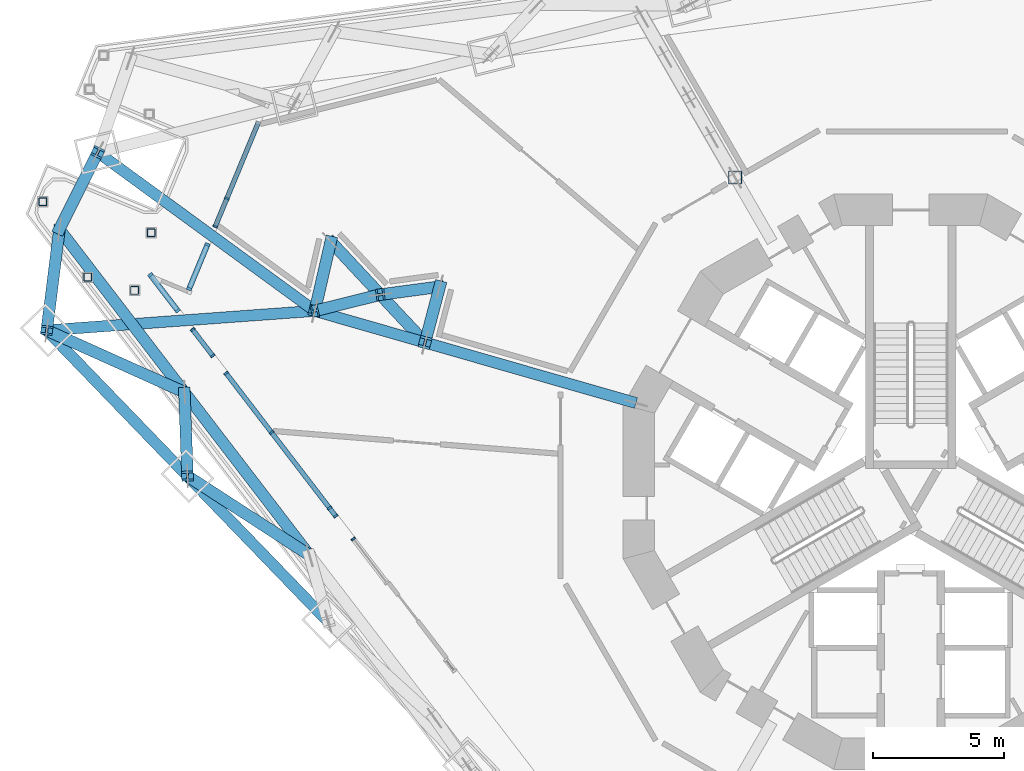
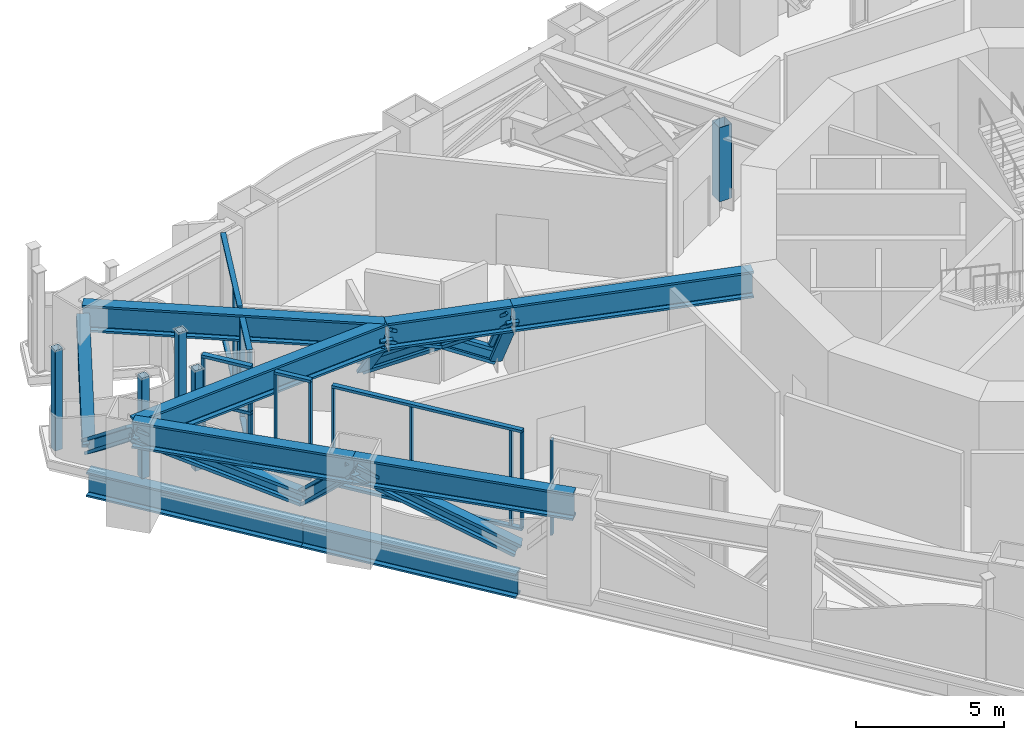
# One storey, part 5 of 31: 48 members, 4 beams, 6 elements without a shape of their own.
"""IFC4 building model written with IfcOpenShell, lengths in metres."""

import ifcopenshell
import ifcopenshell.guid

model = None  # the IFC model being written
_history = None  # IfcOwnerHistory: only IFC2X3 demands one
_inside = {}  # id of a spatial element -> (the spatial element, [elements in it])
_under = {}  # id of a project, library or spatial element -> (it, [spatial elements below it])
_declared = {}  # id of a project -> (the project, [libraries it declares])
_typed = {}  # id of a type object -> (the type object, [elements of that type])
_made_of = {}  # id of a material, layer set ... -> (it, [elements and type objects made of it])


def new_model(schema):
    """Start an empty IFC model of exactly this schema.

    Asked for "IFC4X3", IfcOpenShell would pick the latest addendum, in which some entities
    have other attributes; the version numbers below select the first issue.
    IFC2X3 requires an IfcOwnerHistory on every rooted entity: one is made here for all.
    """
    global model, _history
    if schema == "IFC4X3":
        model = ifcopenshell.file(schema_version=(4, 3, 0, 0))
    else:
        model = ifcopenshell.file(schema=schema)
    _inside.clear()
    _under.clear()
    _declared.clear()
    _typed.clear()
    _made_of.clear()
    _history = None
    if model.schema == "IFC2X3":
        org = make("IfcOrganization", Name="unknown")
        user = make(
            "IfcPersonAndOrganization",
            ThePerson=make("IfcPerson", FamilyName="unknown"),
            TheOrganization=org,
        )
        app = make(
            "IfcApplication",
            ApplicationDeveloper=org,
            Version="unknown",
            ApplicationFullName="unknown",
            ApplicationIdentifier="unknown",
        )
        _history = make(
            "IfcOwnerHistory",
            OwningUser=user,
            OwningApplication=app,
            ChangeAction="ADDED",
            CreationDate=0,
        )
    return model


def make(cls, **values):
    """One entity of the class cls with the attributes given. An attribute that is None is left unset."""
    return model.create_entity(
        cls, **{name: value for name, value in values.items() if value is not None}
    )


def rooted(cls, **values):
    """An entity with a GlobalId (a new one), such as an element, a storey or a relation."""
    return make(cls, GlobalId=ifcopenshell.guid.new(), OwnerHistory=_history, **values)


def si_unit(unit_type, name, prefix=None):
    """IfcSIUnit, for example si_unit("LENGTHUNIT", "METRE", prefix="MILLI")."""
    return make("IfcSIUnit", UnitType=unit_type, Prefix=prefix, Name=name)


def assignment(units):
    """IfcUnitAssignment: the units of a project."""
    return None if units is None else make("IfcUnitAssignment", Units=units)


def point(xyz):
    """IfcCartesianPoint."""
    return None if xyz is None else make("IfcCartesianPoint", Coordinates=xyz)


def direction(xyz):
    """IfcDirection."""
    return None if xyz is None else make("IfcDirection", DirectionRatios=xyz)


def frame(location, z_axis=None, x_axis=None):
    """IfcAxis2Placement3D, a coordinate frame: its origin and axes. An axis left out is left unset."""
    return make(
        "IfcAxis2Placement3D",
        Location=point(location),
        Axis=direction(z_axis),
        RefDirection=direction(x_axis),
    )


def frame_2d(location, x_axis=None):
    """IfcAxis2Placement2D, a coordinate frame in the plane: its origin and x axis."""
    return make(
        "IfcAxis2Placement2D", Location=point(location), RefDirection=direction(x_axis)
    )


def origin():
    """The frame at (0, 0, 0) with its axes left unset."""
    return frame((0.0, 0.0, 0.0))


def origin_2d():
    """The frame at (0, 0) in the plane with its x axis left unset."""
    return frame_2d((0.0, 0.0))


def place(relative_to, where):
    """IfcLocalPlacement: puts the frame where relative to a parent placement (None: the world)."""
    return make(
        "IfcLocalPlacement", PlacementRelTo=relative_to, RelativePlacement=where
    )


def context(
    kind, dimensions, precision=None, world=None, true_north=None, identifier=None
):
    """IfcGeometricRepresentationContext, for example the 3D "Model" context."""
    return make(
        "IfcGeometricRepresentationContext",
        ContextIdentifier=identifier,
        ContextType=kind,
        CoordinateSpaceDimension=dimensions,
        Precision=precision,
        WorldCoordinateSystem=world,
        TrueNorth=true_north,
    )


def subcontext(parent, identifier, kind, view, scale=None):
    """IfcGeometricRepresentationSubContext, for example "Body" below "Model"."""
    return make(
        "IfcGeometricRepresentationSubContext",
        ContextIdentifier=identifier,
        ContextType=kind,
        ParentContext=parent,
        TargetScale=scale,
        TargetView=view,
    )


def project(units=None, contexts=None):
    """IfcProject with its units and contexts."""
    return rooted(
        "IfcProject",
        Name="project",
        RepresentationContexts=contexts,
        UnitsInContext=assignment(units),
    )


def spatial(cls, under=None, at=None, **own):
    """A site, building, storey or space (cls), placed at a placement, below another one or the project."""
    s = rooted(cls, ObjectPlacement=at, **own)
    if under is not None:
        _under.setdefault(under.id(), (under, []))[1].append(s)
    return s


def profile(cls, at=None, kind="AREA", **sizes):
    """A parametric profile (cls). Its sizes go by their IFC names, for example OverallWidth=200.0."""
    return make(cls, ProfileType=kind, Position=at, **sizes)


def rectangle(**sizes):
    """IfcRectangleProfileDef."""
    return profile("IfcRectangleProfileDef", **sizes)


def hollow_rectangle(**sizes):
    """IfcRectangleHollowProfileDef."""
    return profile("IfcRectangleHollowProfileDef", **sizes)


def i_section(**sizes):
    """IfcIShapeProfileDef."""
    return profile("IfcIShapeProfileDef", **sizes)


def extrude(swept, where, along, depth):
    """IfcExtrudedAreaSolid: the profile swept, set in the frame where, extruded along a direction by depth."""
    return make(
        "IfcExtrudedAreaSolid",
        SweptArea=swept,
        Position=where,
        ExtrudedDirection=direction(along),
        Depth=depth,
    )


def shape(context_of_items, identifier, shape_type, items):
    """IfcShapeRepresentation: the items that make up one representation, for example the "Body"."""
    return make(
        "IfcShapeRepresentation",
        ContextOfItems=context_of_items,
        RepresentationIdentifier=identifier,
        RepresentationType=shape_type,
        Items=items,
    )


def material(Name=None, Category=None):
    """IfcMaterial."""
    return make("IfcMaterial", Name=Name, Category=Category)


def layer(
    of_material, thickness, ventilated=None, Name=None, Category=None, Priority=None
):
    """IfcMaterialLayer: one layer of a wall or slab, of a material (None: an air gap)."""
    return make(
        "IfcMaterialLayer",
        Material=of_material,
        LayerThickness=thickness,
        IsVentilated=ventilated,
        Name=Name,
        Category=Category,
        Priority=Priority,
    )


def layer_set(layers, Name=None):
    """IfcMaterialLayerSet."""
    return make("IfcMaterialLayerSet", MaterialLayers=layers, LayerSetName=Name)


def material_profile(
    of_material, cross_section, Name=None, Category=None, Priority=None
):
    """IfcMaterialProfile: a cross section and its material."""
    return make(
        "IfcMaterialProfile",
        Name=Name,
        Material=of_material,
        Profile=cross_section,
        Priority=Priority,
        Category=Category,
    )


def profile_set(profiles, Name=None, composite=None):
    """IfcMaterialProfileSet."""
    return make(
        "IfcMaterialProfileSet",
        Name=Name,
        MaterialProfiles=profiles,
        CompositeProfile=composite,
    )


def made_of(thing, what):
    """Note that an element or type object is made of a material, layer set ...; save() writes the relation."""
    if what is not None:
        _made_of.setdefault(what.id(), (what, []))[1].append(thing)
    return thing


def type_object(cls, material=None, **own):
    """A type object (cls), such as IfcWallType, which elements share."""
    return made_of(rooted(cls, **own), material)


def element(
    cls,
    number,
    at=None,
    inside=None,
    cuts=None,
    type_object=None,
    material=None,
    context=None,
    identifier="Body",
    shape_type=None,
    held_by="IfcProductDefinitionShape",
    body=None,
    shapes=None,
    **own,
):
    """One element of the class cls, such as IfcWall. Its Tag is "e" and its number.

    at: its placement. inside: the storey or other place that contains it. cuts: it is an
    opening in that element (IfcRelVoidsElement). A single representation is given by context,
    identifier, shape_type and body (its items); several are given by shapes. held_by: the class
    of the entity that holds the representations. save() writes the other relations.
    """
    e = rooted(cls, Tag="e%d" % number, ObjectPlacement=at, **own)
    if body is not None:
        shapes = [shape(context, identifier, shape_type, body)]
    if shapes is not None:
        e.Representation = make(held_by, Representations=shapes)
    if inside is not None:
        _inside.setdefault(inside.id(), (inside, []))[1].append(e)
    if cuts is not None:
        rooted(
            "IfcRelVoidsElement", RelatingBuildingElement=cuts, RelatedOpeningElement=e
        )
    if type_object is not None:
        _typed.setdefault(type_object.id(), (type_object, []))[1].append(e)
    return made_of(e, material)


def aggregate(whole, parts):
    """IfcRelAggregates: a whole, such as a stair, and the parts it consists of."""
    return rooted("IfcRelAggregates", RelatingObject=whole, RelatedObjects=parts)


def save(model, path):
    """Write the relations noted so far, then the file.

    IfcRelAggregates (storeys below a building ...), IfcRelContainedInSpatialStructure (elements
    in a storey), IfcRelDefinesByType, IfcRelAssociatesMaterial and IfcRelDeclares: one each for
    every whole, place, type object, material and project.
    """
    for whole, parts in _under.values():
        aggregate(whole, parts)
    for where, things in _inside.values():
        rooted(
            "IfcRelContainedInSpatialStructure",
            RelatedElements=things,
            RelatingStructure=where,
        )
    for kind, things in _typed.values():
        rooted("IfcRelDefinesByType", RelatedObjects=things, RelatingType=kind)
    for what, things in _made_of.values():
        rooted("IfcRelAssociatesMaterial", RelatedObjects=things, RelatingMaterial=what)
    for by, libraries in _declared.values():
        rooted("IfcRelDeclares", RelatingContext=by, RelatedDefinitions=libraries)
    model.write(path)


model = new_model("IFC4")

# Units and contexts
model_context = context("Model", 3, precision=1e-05, world=origin(), true_north=direction((0.0, 1.0)))
body_context = subcontext(model_context, "Body", "Model", "MODEL_VIEW")
ifc_project = project(units=[si_unit("LENGTHUNIT", "METRE"), si_unit("AREAUNIT", "SQUARE_METRE"), si_unit("VOLUMEUNIT", "CUBIC_METRE"), si_unit("PLANEANGLEUNIT", "RADIAN"), si_unit("MASSUNIT", "GRAM", prefix="KILO")], contexts=[model_context])

# Site, building, storey
site_placement = place(None, origin())
site = spatial("IfcSite", under=ifc_project, at=site_placement, CompositionType="ELEMENT")
building_placement = place(site_placement, origin())
building = spatial("IfcBuilding", under=site, at=building_placement, Name="Trine Commons Tower", CompositionType="ELEMENT")
storey_placement = place(building_placement, frame((0.0, 0.0, 82.800048828125)))
storey = spatial("IfcBuildingStorey", under=building, at=storey_placement, Name="L20", CompositionType="ELEMENT", Elevation=82.800048828125)

# Curtain wall, members
ifc_material_1 = material(Name="Plant louvre wall: anodised aluminium frame with anodised aluminium louvre blades", Category="aluminium")
ifc_layer_1 = layer(ifc_material_1, 0.199951171875)
ifc_layer_set_1 = layer_set([ifc_layer_1], Name="Plant louvre wall: anodised aluminium frame with anodised aluminium louvre blades")
curtain_wall_type_1 = type_object("IfcCurtainWallType", Name="Plant louvre wall curtain wall CW7", PredefinedType="NOTDEFINED", material=ifc_layer_set_1)
curtain_wall_1_placement = place(storey_placement, origin())
curtain_wall_1 = element("IfcCurtainWall", 1, at=curtain_wall_1_placement, inside=storey, type_object=curtain_wall_type_1, Name="Plant louvre wall L20 P1.1", PredefinedType="NOTDEFINED")
ifc_material_2 = material(Name="Anodised aluminium, bronze finish", Category="aluminium")
ifc_material_profile_1 = material_profile(ifc_material_2, rectangle(XDim=0.199951171875, YDim=0.10009765625, at=origin_2d()), Name="Mullion 100x200")
ifc_profile_set_1 = profile_set([ifc_material_profile_1], Name="Anodised aluminium, bronze finish")
member_type_1 = type_object("IfcMemberType", Name="Mullion 100x200, Anodised aluminium, bronze finish", PredefinedType="MULLION", material=ifc_profile_set_1)
member_1_placement = place(storey_placement, frame((52.36962890625, 69.885986328125, 0.119873046875), z_axis=(0.0, 0.0, 1.0), x_axis=(-0.923879532511, 0.382683432365, 0.0)))
member_1 = element("IfcMember", 2, at=member_1_placement, type_object=member_type_1, Name="CW7 mullion 1.1", PredefinedType="MULLION", context=body_context, shape_type="SweptSolid", body=[
    extrude(rectangle(XDim=0.199951171875, YDim=0.10009765625, at=origin_2d()), origin(), (0.0, 0.0, 1.0), 2.02001953125),
])
member_2_placement = place(storey_placement, frame((52.36962890625, 69.885986328125, 2.260009765625), z_axis=(0.0, 0.0, 1.0), x_axis=(-0.923879532511, 0.382683432365, 0.0)))
member_2 = element("IfcMember", 3, at=member_2_placement, type_object=member_type_1, Name="CW7 mullion 1.2", PredefinedType="MULLION", context=body_context, shape_type="SweptSolid", body=[
    extrude(rectangle(XDim=0.199951171875, YDim=0.10009765625, at=origin_2d()), origin(), (0.0, 0.0, 1.0), 1.77001953125),
])
member_3_placement = place(storey_placement, frame((53.072509765625, 71.58251953125, 0.119873046875), z_axis=(0.0, 0.0, 1.0), x_axis=(-0.923879532511, 0.382683432365, 0.0)))
member_3 = element("IfcMember", 4, at=member_3_placement, type_object=member_type_1, Name="CW7 mullion 2.1", PredefinedType="MULLION", context=body_context, shape_type="SweptSolid", body=[
    extrude(rectangle(XDim=0.199951171875, YDim=0.10009765625, at=origin_2d()), origin(), (0.0, 0.0, 1.0), 2.02001953125),
])
member_4_placement = place(storey_placement, frame((53.072509765625, 71.58251953125, 2.260009765625), z_axis=(0.0, 0.0, 1.0), x_axis=(-0.923879532511, 0.382683432365, 0.0)))
member_4 = element("IfcMember", 5, at=member_4_placement, type_object=member_type_1, Name="CW7 mullion 2.2", PredefinedType="MULLION", context=body_context, shape_type="SweptSolid", body=[
    extrude(rectangle(XDim=0.199951171875, YDim=0.10009765625, at=origin_2d()), origin(), (0.0, 0.0, 1.0), 1.77001953125),
])

curtain_wall_2_placement = place(storey_placement, origin())
curtain_wall_2 = element("IfcCurtainWall", 6, at=curtain_wall_2_placement, inside=storey, type_object=curtain_wall_type_1, Name="Plant louvre wall L20 F3.5", PredefinedType="NOTDEFINED")
member_5_placement = place(storey_placement, frame((51.93408203125, 69.05322265625, 0.119873046875), z_axis=(0.0, 0.0, 1.0), x_axis=(-0.793353340291, -0.608761429009, 0.0)))
member_5 = element("IfcMember", 7, at=member_5_placement, type_object=member_type_1, Name="CW7 mullion 1.1", PredefinedType="MULLION", context=body_context, shape_type="SweptSolid", body=[
    extrude(rectangle(XDim=0.199951171875, YDim=0.10009765625, at=origin_2d()), origin(), (0.0, 0.0, 1.0), 2.02001953125),
])
member_6_placement = place(storey_placement, frame((51.93408203125, 69.05322265625, 2.260009765625), z_axis=(0.0, 0.0, 1.0), x_axis=(-0.793353340291, -0.608761429009, 0.0)))
member_6 = element("IfcMember", 8, at=member_6_placement, type_object=member_type_1, Name="CW7 mullion 1.2", PredefinedType="MULLION", context=body_context, shape_type="SweptSolid", body=[
    extrude(rectangle(XDim=0.199951171875, YDim=0.10009765625, at=origin_2d()), origin(), (0.0, 0.0, 1.0), 1.77001953125),
])
member_7_placement = place(storey_placement, frame((50.885986328125, 70.419189453125, 0.119873046875), z_axis=(0.0, 0.0, 1.0), x_axis=(-0.793353340291, -0.608761429009, 0.0)))
member_7 = element("IfcMember", 9, at=member_7_placement, type_object=member_type_1, Name="CW7 mullion 2.1", PredefinedType="MULLION", context=body_context, shape_type="SweptSolid", body=[
    extrude(rectangle(XDim=0.199951171875, YDim=0.10009765625, at=origin_2d()), origin(), (0.0, 0.0, 1.0), 2.02001953125),
])
member_8_placement = place(storey_placement, frame((50.885986328125, 70.419189453125, 2.260009765625), z_axis=(0.0, 0.0, 1.0), x_axis=(-0.793353340291, -0.608761429009, 0.0)))
member_8 = element("IfcMember", 10, at=member_8_placement, type_object=member_type_1, Name="CW7 mullion 2.2", PredefinedType="MULLION", context=body_context, shape_type="SweptSolid", body=[
    extrude(rectangle(XDim=0.199951171875, YDim=0.10009765625, at=origin_2d()), origin(), (0.0, 0.0, 1.0), 1.77001953125),
])

ifc_material_3 = material(Name="Sky lounge glazing: anodised aluminium frame with low-emissivity double glazed unit, solar control", Category="aluminium")
ifc_layer_2 = layer(ifc_material_3, 0.179931640625)
ifc_layer_set_2 = layer_set([ifc_layer_2], Name="Sky lounge glazing: anodised aluminium frame with low-emissivity double glazed unit, solar control")
curtain_wall_type_2 = type_object("IfcCurtainWallType", Name="Sky lounge glazing curtain wall CW5", PredefinedType="NOTDEFINED", material=ifc_layer_set_2)
curtain_wall_3_placement = place(storey_placement, origin())
curtain_wall_3 = element("IfcCurtainWall", 11, at=curtain_wall_3_placement, inside=storey, type_object=curtain_wall_type_2, Name="Sky lounge glazing L20 P1.2", PredefinedType="NOTDEFINED")
ifc_material_profile_2 = material_profile(ifc_material_2, rectangle(XDim=0.179931640625, YDim=0.074951171875, at=origin_2d()), Name="Mullion 75x180")
ifc_profile_set_2 = profile_set([ifc_material_profile_2], Name="Anodised aluminium, bronze finish")
member_type_2 = type_object("IfcMemberType", Name="Mullion 75x180, Anodised aluminium, bronze finish", PredefinedType="MULLION", material=ifc_profile_set_2)
member_9_placement = place(storey_placement, frame((53.370849609375, 72.276611328125, 0.10986328125), z_axis=(0.0, 0.0, 1.0), x_axis=(-0.923879532511, 0.382683432365, 0.0)))
member_9 = element("IfcMember", 12, at=member_9_placement, type_object=member_type_2, Name="CW5 mullion 1.1", PredefinedType="MULLION", context=body_context, shape_type="SweptSolid", body=[
    extrude(rectangle(XDim=0.179931640625, YDim=0.074951171875, at=origin_2d()), origin(), (0.0, 0.0, 1.0), 3.93017578125),
])
member_10_placement = place(storey_placement, frame((53.81396484375, 73.3466796875, 0.10986328125), z_axis=(0.0, 0.0, 1.0), x_axis=(-0.923879532511, 0.382683432365, 0.0)))
member_10 = element("IfcMember", 13, at=member_10_placement, type_object=member_type_2, Name="CW5 mullion 2.1", PredefinedType="MULLION", context=body_context, shape_type="SweptSolid", body=[
    extrude(rectangle(XDim=0.179931640625, YDim=0.074951171875, at=origin_2d()), origin(), (0.0, 0.0, 1.0), 3.93017578125),
])

# Curtain wall, member
curtain_wall_4_placement = place(storey_placement, origin())
curtain_wall_4 = element("IfcCurtainWall", 14, at=curtain_wall_4_placement, inside=storey, type_object=curtain_wall_type_2, Name="Sky lounge glazing L20 F3.2", PredefinedType="NOTDEFINED")
member_11_placement = place(storey_placement, frame((58.654296875, 60.3115234375, 0.10986328125), z_axis=(0.0, 0.0, 1.0), x_axis=(-0.793353340291, -0.608761429009, 0.0)))
member_11 = element("IfcMember", 15, at=member_11_placement, type_object=member_type_2, Name="CW5 mullion 2.1", PredefinedType="MULLION", context=body_context, shape_type="SweptSolid", body=[
    extrude(rectangle(XDim=0.179931640625, YDim=0.074951171875, at=origin_2d()), origin(), (0.0, 0.0, 1.0), 3.93017578125),
])
aggregate(curtain_wall_4, [member_11])

# Curtain wall, members
curtain_wall_5_placement = place(storey_placement, origin())
curtain_wall_5 = element("IfcCurtainWall", 16, at=curtain_wall_5_placement, inside=storey, type_object=curtain_wall_type_2, Name="Sky lounge glazing L20 F3.3", PredefinedType="NOTDEFINED")
member_12_placement = place(storey_placement, frame((57.98046875, 61.18994140625, 0.10986328125), z_axis=(0.0, 0.0, 1.0), x_axis=(-0.793353340291, -0.608761429009, 0.0)))
member_12 = element("IfcMember", 17, at=member_12_placement, type_object=member_type_2, Name="CW5 mullion 1.1", PredefinedType="MULLION", context=body_context, shape_type="SweptSolid", body=[
    extrude(rectangle(XDim=0.179931640625, YDim=0.074951171875, at=origin_2d()), origin(), (0.0, 0.0, 1.0), 3.93017578125),
])
member_13_placement = place(storey_placement, frame((57.744384765625, 61.49755859375, 0.10986328125), z_axis=(0.0, 0.0, 1.0), x_axis=(-0.793353340291, -0.608761429009, 0.0)))
member_13 = element("IfcMember", 18, at=member_13_placement, type_object=member_type_2, Name="CW5 mullion 2.1", PredefinedType="MULLION", context=body_context, shape_type="SweptSolid", body=[
    extrude(rectangle(XDim=0.179931640625, YDim=0.074951171875, at=origin_2d()), origin(), (0.0, 0.0, 1.0), 3.93017578125),
])
member_14_placement = place(storey_placement, frame((55.5263671875, 64.38818359375, 0.10986328125), z_axis=(0.0, 0.0, 1.0), x_axis=(-0.793353340291, -0.608761429009, 0.0)))
member_14 = element("IfcMember", 19, at=member_14_placement, type_object=member_type_2, Name="CW5 mullion 3.1", PredefinedType="MULLION", context=body_context, shape_type="SweptSolid", body=[
    extrude(rectangle(XDim=0.179931640625, YDim=0.074951171875, at=origin_2d()), origin(), (0.0, 0.0, 1.0), 3.93017578125),
])
member_15_placement = place(storey_placement, frame((53.78564453125, 66.656982421875, 0.10986328125), z_axis=(0.0, 0.0, 1.0), x_axis=(-0.793353340291, -0.608761429009, 0.0)))
member_15 = element("IfcMember", 20, at=member_15_placement, type_object=member_type_2, Name="CW5 mullion 4.1", PredefinedType="MULLION", context=body_context, shape_type="SweptSolid", body=[
    extrude(rectangle(XDim=0.179931640625, YDim=0.074951171875, at=origin_2d()), origin(), (0.0, 0.0, 1.0), 3.93017578125),
])

curtain_wall_6_placement = place(storey_placement, origin())
curtain_wall_6 = element("IfcCurtainWall", 21, at=curtain_wall_6_placement, inside=storey, type_object=curtain_wall_type_2, Name="Sky lounge glazing L20 F3.4", PredefinedType="NOTDEFINED")
member_16_placement = place(storey_placement, frame((53.272705078125, 67.3251953125, 0.10986328125), z_axis=(0.0, 0.0, 1.0), x_axis=(-0.793353340291, -0.608761429009, 0.0)))
member_16 = element("IfcMember", 22, at=member_16_placement, type_object=member_type_2, Name="CW5 mullion 1.1", PredefinedType="MULLION", context=body_context, shape_type="SweptSolid", body=[
    extrude(rectangle(XDim=0.179931640625, YDim=0.074951171875, at=origin_2d()), origin(), (0.0, 0.0, 1.0), 3.93017578125),
])
member_17_placement = place(storey_placement, frame((52.502197265625, 68.329345703125, 0.10986328125), z_axis=(0.0, 0.0, 1.0), x_axis=(-0.793353340291, -0.608761429009, 0.0)))
member_17 = element("IfcMember", 23, at=member_17_placement, type_object=member_type_2, Name="CW5 mullion 2.1", PredefinedType="MULLION", context=body_context, shape_type="SweptSolid", body=[
    extrude(rectangle(XDim=0.179931640625, YDim=0.074951171875, at=origin_2d()), origin(), (0.0, 0.0, 1.0), 3.93017578125),
])

# Beams
ifc_material_4 = material(Name="Structural steel ASTM A992 Gr50", Category="steel")
ifc_material_profile_3 = material_profile(ifc_material_4, i_section(OverallWidth=0.42529296875, OverallDepth=1.09228515625, WebThickness=0.04541015625, FlangeThickness=0.08203125, FilletRadius=0.030029296875, at=origin_2d()), Name="W40X593")
ifc_profile_set_3 = profile_set([ifc_material_profile_3], Name="Structural steel ASTM A992 Gr50")
beam_type = type_object("IfcBeamType", Name="Steel beam W40X593, ASTM A992 Gr50", PredefinedType="BEAM", material=ifc_profile_set_3)
beam_1_placement = place(storey_placement, frame((46.918212890625, 68.298583984375, 3.603759765625), z_axis=(0.997376137545, 0.072393647896, 0.0), x_axis=(-0.072393647896, 0.997376137545, 0.0)))
element("IfcBeam", 24, at=beam_1_placement, inside=storey, type_object=beam_type, Name="Transfer truss girder T2-UV-01", PredefinedType="BEAM", context=body_context, shape_type="SweptSolid", body=[
    extrude(i_section(OverallWidth=0.42529296875, OverallDepth=1.09228515625, WebThickness=0.04541015625, FlangeThickness=0.08203125, FilletRadius=0.030029296875, at=origin_2d()), origin(), (0.0, 0.0, 1.0), 10.289306640625),
])
beam_2_placement = place(storey_placement, frame((48.872314453125, 75.113037109375, 3.603759765625), z_axis=(0.807471108892, -0.589907118371, 0.0), x_axis=(0.589907118371, 0.807471108892, 0.0)))
element("IfcBeam", 25, at=beam_2_placement, inside=storey, type_object=beam_type, Name="Transfer truss girder T2-UV-02", PredefinedType="BEAM", context=body_context, shape_type="SweptSolid", body=[
    extrude(i_section(OverallWidth=0.42529296875, OverallDepth=1.09228515625, WebThickness=0.04541015625, FlangeThickness=0.08203125, FilletRadius=0.030029296875, at=origin_2d()), origin(), (0.0, 0.0, 1.0), 10.2890625),
])
beam_3_placement = place(storey_placement, frame((69.4755859375, 65.517822265625, 3.603759765625), z_axis=(-0.961261362097, 0.275638520056, 0.0), x_axis=(-0.275638520056, -0.961261362097, 0.0)))
element("IfcBeam", 26, at=beam_3_placement, inside=storey, type_object=beam_type, Name="Transfer truss girder T2-UR-05", PredefinedType="BEAM", context=body_context, shape_type="SweptSolid", body=[
    extrude(i_section(OverallWidth=0.42529296875, OverallDepth=1.09228515625, WebThickness=0.04541015625, FlangeThickness=0.08203125, FilletRadius=0.030029296875, at=origin_2d()), origin(), (0.0, 0.0, 1.0), 8.3994140625),
])
beam_4_placement = place(storey_placement, frame((61.401611328125, 67.8330078125, 3.603759765625), z_axis=(-0.961259158079, 0.275646206232, 0.0), x_axis=(-0.275646206232, -0.961259158079, 0.0)))
element("IfcBeam", 27, at=beam_4_placement, inside=storey, type_object=beam_type, Name="Transfer truss girder T2-UR-06", PredefinedType="BEAM", context=body_context, shape_type="SweptSolid", body=[
    extrude(i_section(OverallWidth=0.42529296875, OverallDepth=1.09228515625, WebThickness=0.04541015625, FlangeThickness=0.08203125, FilletRadius=0.030029296875, at=origin_2d()), origin(), (0.0, 0.0, 1.0), 4.391357421875),
])

# Members
ifc_material_profile_4 = material_profile(ifc_material_4, i_section(OverallWidth=0.44775390625, OverallDepth=0.54931640625, WebThickness=0.072021484375, FlangeThickness=0.11474609375, FilletRadius=0.01513671875, at=origin_2d()), Name="W14X665")
ifc_profile_set_4 = profile_set([ifc_material_profile_4], Name="Structural steel ASTM A992 Gr50")
member_type_3 = type_object("IfcMemberType", Name="Steel brace W14X665, ASTM A992 Gr50", PredefinedType="BRACE", material=ifc_profile_set_4)
member_18_placement = place(storey_placement, frame((52.1884765625, 65.92919921875, 0.504638671875), z_axis=(0.026578856753, -0.719269802494, 0.6942222379), x_axis=(0.999317952767, 0.036927351357, 0.0)))
element("IfcMember", 28, at=member_18_placement, inside=storey, type_object=member_type_3, Name="Belt truss brace T2-DG-13", PredefinedType="BRACE", context=body_context, shape_type="SweptSolid", body=[
    extrude(i_section(OverallWidth=0.44775390625, OverallDepth=0.54931640625, WebThickness=0.072021484375, FlangeThickness=0.11474609375, FilletRadius=0.01513671875, at=origin_2d()), origin(), (0.0, 0.0, 1.0), 4.464111328125),
])
member_19_placement = place(storey_placement, frame((56.9736328125, 59.693115234375, 0.504638671875), z_axis=(-0.732977923301, 0.4751663413, 0.486785694171), x_axis=(-0.543966438836, -0.839106973764, 0.0)))
element("IfcMember", 29, at=member_19_placement, inside=storey, type_object=member_type_3, Name="Belt truss brace T2-DG-14", PredefinedType="BRACE", context=body_context, shape_type="SweptSolid", body=[
    extrude(i_section(OverallWidth=0.44775390625, OverallDepth=0.54931640625, WebThickness=0.072021484375, FlangeThickness=0.11474609375, FilletRadius=0.01513671875, at=origin_2d()), origin(), (0.0, 0.0, 1.0), 6.366455078125),
])
member_20_placement = place(storey_placement, frame((47.4033203125, 72.16552734375, 0.504638671875), z_axis=(-0.097425406243, -0.776608459727, 0.622404683867), x_axis=(0.992222845174, -0.124474196184, 0.0)))
element("IfcMember", 30, at=member_20_placement, inside=storey, type_object=member_type_3, Name="Belt truss brace T2-DG-15", PredefinedType="BRACE", context=body_context, shape_type="SweptSolid", body=[
    extrude(i_section(OverallWidth=0.44775390625, OverallDepth=0.54931640625, WebThickness=0.072021484375, FlangeThickness=0.11474609375, FilletRadius=0.01513671875, at=origin_2d()), origin(), (0.0, 0.0, 1.0), 4.979248046875),
])
member_21_placement = place(storey_placement, frame((52.1884765625, 65.92919921875, 0.504638671875), z_axis=(-0.803761745058, 0.361352097827, 0.472643331253), x_axis=(-0.410043159923, -0.912066119862, 0.0)))
element("IfcMember", 31, at=member_21_placement, inside=storey, type_object=member_type_3, Name="Belt truss brace T2-DG-16", PredefinedType="BRACE", context=body_context, shape_type="SweptSolid", body=[
    extrude(i_section(OverallWidth=0.44775390625, OverallDepth=0.54931640625, WebThickness=0.072021484375, FlangeThickness=0.11474609375, FilletRadius=0.01513671875, at=origin_2d()), origin(), (0.0, 0.0, 1.0), 6.556884765625),
])
member_22_placement = place(storey_placement, frame((47.4033203125, 72.16552734375, 0.504638671875), z_axis=(0.324840465828, 0.651786429108, 0.685312426994), x_axis=(-0.895004678799, 0.446056750794, 0.0)))
element("IfcMember", 32, at=member_22_placement, inside=storey, type_object=member_type_3, Name="Belt truss brace T2-DG-17", PredefinedType="BRACE", context=body_context, shape_type="SweptSolid", body=[
    extrude(i_section(OverallWidth=0.44775390625, OverallDepth=0.54931640625, WebThickness=0.072021484375, FlangeThickness=0.11474609375, FilletRadius=0.01513671875, at=origin_2d()), origin(), (0.0, 0.0, 1.0), 4.522216796875),
])
member_23_placement = place(storey_placement, frame((61.963623046875, 69.970947265625, 0.504638671875), z_axis=(-0.147636346238, -0.561620974809, 0.814116324566), x_axis=(0.967141741595, -0.254237785674, 0.0)))
element("IfcMember", 33, at=member_23_placement, inside=storey, type_object=member_type_3, Name="Belt truss brace T2-DG-57", PredefinedType="BRACE", context=body_context, shape_type="SweptSolid", body=[
    extrude(i_section(OverallWidth=0.44775390625, OverallDepth=0.54931640625, WebThickness=0.072021484375, FlangeThickness=0.11474609375, FilletRadius=0.01513671875, at=origin_2d()), origin(), (0.0, 0.0, 1.0), 3.806640625),
])
member_24_placement = place(storey_placement, frame((57.791259765625, 71.69921875, 0.504638671875), z_axis=(0.588886977349, -0.630620379585, 0.505499816775), x_axis=(0.730877209396, 0.682508977806, 0.0)))
element("IfcMember", 34, at=member_24_placement, inside=storey, type_object=member_type_3, Name="Belt truss brace T2-DG-58", PredefinedType="BRACE", context=body_context, shape_type="SweptSolid", body=[
    extrude(i_section(OverallWidth=0.44775390625, OverallDepth=0.54931640625, WebThickness=0.072021484375, FlangeThickness=0.11474609375, FilletRadius=0.01513671875, at=origin_2d()), origin(), (0.0, 0.0, 1.0), 6.130859375),
])
member_25_placement = place(storey_placement, frame((57.791259765625, 71.69921875, 0.504638671875), z_axis=(-0.148016628089, -0.643535124041, 0.750968456019), x_axis=(0.974554012383, -0.224152798215, 0.0)))
element("IfcMember", 35, at=member_25_placement, inside=storey, type_object=member_type_3, Name="Belt truss brace T2-DG-59", PredefinedType="BRACE", context=body_context, shape_type="SweptSolid", body=[
    extrude(i_section(OverallWidth=0.44775390625, OverallDepth=0.54931640625, WebThickness=0.072021484375, FlangeThickness=0.11474609375, FilletRadius=0.01513671875, at=origin_2d()), origin(), (0.0, 0.0, 1.0), 4.126953125),
])
member_26_placement = place(storey_placement, frame((61.963623046875, 69.970947265625, 0.504638671875), z_axis=(-0.808047887532, -0.108185067184, 0.579098094189), x_axis=(0.132700426386, -0.991156191948, 0.0)))
element("IfcMember", 36, at=member_26_placement, inside=storey, type_object=member_type_3, Name="Belt truss brace T2-DG-60a", PredefinedType="BRACE", context=body_context, shape_type="SweptSolid", body=[
    extrude(i_section(OverallWidth=0.44775390625, OverallDepth=0.54931640625, WebThickness=0.072021484375, FlangeThickness=0.11474609375, FilletRadius=0.01513671875, at=origin_2d()), origin(), (0.0, 0.0, 1.0), 2.814208984375),
])
member_27_placement = place(storey_placement, frame((59.689697265625, 69.66650390625, 2.13427734375), z_axis=(-0.843768574039, -0.209505487541, 0.494127558586), x_axis=(0.240980030119, -0.970530074281, 0.0)))
element("IfcMember", 37, at=member_27_placement, inside=storey, type_object=member_type_3, Name="Belt truss brace T2-DG-60b", PredefinedType="BRACE", context=body_context, shape_type="SweptSolid", body=[
    extrude(i_section(OverallWidth=0.44775390625, OverallDepth=0.54931640625, WebThickness=0.072021484375, FlangeThickness=0.11474609375, FilletRadius=0.01513671875, at=origin_2d()), origin(), (0.0, 0.0, 1.0), 2.973876953125),
])
ifc_material_profile_5 = material_profile(ifc_material_4, i_section(OverallWidth=0.43798828125, OverallDepth=1.009521484375, WebThickness=0.041015625, FlangeThickness=0.073974609375, FilletRadius=0.024169921875, at=origin_2d()), Name="W36X529")
ifc_profile_set_5 = profile_set([ifc_material_profile_5], Name="Structural steel ASTM A992 Gr50")
member_type_4 = type_object("IfcMemberType", Name="Steel chord W36X529, ASTM A992 Gr50", PredefinedType="CHORD", material=ifc_profile_set_5)
member_28_placement = place(storey_placement, frame((56.9736328125, 59.693115234375, -0.954833984375), z_axis=(-0.608764688738, 0.793350839002, 0.0), x_axis=(-0.793350839002, -0.608764688738, 0.0)))
element("IfcMember", 38, at=member_28_placement, inside=storey, type_object=member_type_4, Name="Belt truss chord T2-LC-06", PredefinedType="CHORD", context=body_context, shape_type="SweptSolid", body=[
    extrude(i_section(OverallWidth=0.43798828125, OverallDepth=1.009521484375, WebThickness=0.041015625, FlangeThickness=0.073974609375, FilletRadius=0.024169921875, at=origin_2d()), origin(), (0.0, 0.0, 1.0), 7.8603515625),
])
member_29_placement = place(storey_placement, frame((52.1884765625, 65.92919921875, -0.954833984375), z_axis=(-0.608749688417, 0.793362349026, 0.0), x_axis=(-0.793362349026, -0.608749688417, 0.0)))
element("IfcMember", 39, at=member_29_placement, inside=storey, type_object=member_type_4, Name="Belt truss chord T2-LC-07", PredefinedType="CHORD", context=body_context, shape_type="SweptSolid", body=[
    extrude(i_section(OverallWidth=0.43798828125, OverallDepth=1.009521484375, WebThickness=0.041015625, FlangeThickness=0.073974609375, FilletRadius=0.024169921875, at=origin_2d()), origin(), (0.0, 0.0, 1.0), 7.860595703125),
])
ifc_material_profile_6 = material_profile(ifc_material_4, i_section(OverallWidth=0.42529296875, OverallDepth=1.09228515625, WebThickness=0.04541015625, FlangeThickness=0.08203125, FilletRadius=0.030029296875, at=origin_2d()), Name="W40X593")
ifc_profile_set_6 = profile_set([ifc_material_profile_6], Name="Structural steel ASTM A992 Gr50")
member_type_5 = type_object("IfcMemberType", Name="Steel chord W40X593, ASTM A992 Gr50", PredefinedType="CHORD", material=ifc_profile_set_6)
for number, where, z_axis, x_axis, name in (
    (40, (57.696044921875, 57.137939453125, 3.603759765625), (-0.694662468896, 0.719335842502, 0.0), (-0.719335842502, -0.694662468896, 0.0), "Belt truss chord T2-UC-06"),
    (41, (52.30712890625, 62.71826171875, 3.603759765625), (-0.694662468896, 0.719335842502, 0.0), (-0.719335842502, -0.694662468896, 0.0), "Belt truss chord T2-UC-07"),
):
    element("IfcMember", number, at=place(storey_placement, frame(where, z_axis=z_axis, x_axis=x_axis)), inside=storey, type_object=member_type_5, Name=name, PredefinedType="CHORD", context=body_context, shape_type="SweptSolid", body=[
        extrude(i_section(OverallWidth=0.42529296875, OverallDepth=1.09228515625, WebThickness=0.04541015625, FlangeThickness=0.08203125, FilletRadius=0.030029296875, at=origin_2d()), origin(), (0.0, 0.0, 1.0), 7.757568359375),
    ])
ifc_material_5 = material(Name="Structural steel ASTM A500 Gr C", Category="steel")
ifc_material_profile_7 = material_profile(ifc_material_5, hollow_rectangle(XDim=0.3046875, YDim=0.3046875, WallThickness=0.014892578125, InnerFilletRadius=0.00732421875, OuterFilletRadius=0.022216796875, at=origin_2d()), Name="HSS12X12X5/8")
ifc_profile_set_7 = profile_set([ifc_material_profile_7], Name="Structural steel ASTM A500 Gr C")
member_type_6 = type_object("IfcMemberType", Name="Steel post HSS12X12X5/8, ASTM A500 Gr C", PredefinedType="POST", material=ifc_profile_set_7)
for number, where, z_axis, x_axis, name in (
    (42, (46.771240234375, 73.224609375, 0.0), (0.0, 0.0, 1.0), (1.0, 0.0, 0.0), "Roof post SP2-11"),
    (43, (50.280029296875, 69.82568359375, 0.0), (0.0, 0.0, 1.0), (1.0, 0.0, 0.0), "Roof post SP2-12"),
    (44, (50.9140625, 72.03662109375, 0.0), (0.0, 0.0, 1.0), (1.0, 0.0, 0.0), "Roof post SP2-13"),
    (45, (48.489501953125, 70.339111328125, 0.0), (0.0, 0.0, 1.0), (1.0, 0.0, 0.0), "Roof post SP2-14"),
):
    element("IfcMember", number, at=place(storey_placement, frame(where, z_axis=z_axis, x_axis=x_axis)), inside=storey, type_object=member_type_6, Name=name, PredefinedType="POST", context=body_context, shape_type="SweptSolid", body=[
        extrude(hollow_rectangle(XDim=0.3046875, YDim=0.3046875, WallThickness=0.014892578125, InnerFilletRadius=0.00732421875, OuterFilletRadius=0.022216796875, at=origin_2d()), origin(), (0.0, 0.0, 1.0), 4.14990234375),
    ])
ifc_material_profile_8 = material_profile(ifc_material_5, hollow_rectangle(XDim=0.508056640625, YDim=0.508056640625, WallThickness=0.020751953125, InnerFilletRadius=0.01025390625, OuterFilletRadius=0.031005859375, at=origin_2d()), Name="HSS20X20X7/8")
ifc_profile_set_8 = profile_set([ifc_material_profile_8], Name="Structural steel ASTM A500 Gr C")
member_type_7 = type_object("IfcMemberType", Name="Steel post HSS20X20X7/8, ASTM A500 Gr C", PredefinedType="POST", material=ifc_profile_set_8)
member_30_placement = place(storey_placement, frame((73.27490234375, 74.14794921875, 0.546142578125), z_axis=(0.0, 0.0, 1.0), x_axis=(1.0, 0.0, 0.0)))
element("IfcMember", 46, at=member_30_placement, inside=storey, type_object=member_type_7, Name="Outrigger truss post T2-OP-01", PredefinedType="POST", context=body_context, shape_type="SweptSolid", body=[
    extrude(hollow_rectangle(XDim=0.508056640625, YDim=0.508056640625, WallThickness=0.020751953125, InnerFilletRadius=0.01025390625, OuterFilletRadius=0.031005859375, at=origin_2d()), origin(), (0.0, 0.0, 1.0), 3.0576171875),
])

# Member
ifc_material_profile_9 = material_profile(ifc_material_2, rectangle(XDim=0.179931640625, YDim=0.110107421875, at=origin_2d()), Name="Transom 110x180")
ifc_profile_set_9 = profile_set([ifc_material_profile_9], Name="Anodised aluminium, bronze finish")
member_type_8 = type_object("IfcMemberType", Name="Transom 110x180, Anodised aluminium, bronze finish", PredefinedType="USERDEFINED", material=ifc_profile_set_9)
member_31_placement = place(storey_placement, frame((53.3564453125, 72.241943359375, 0.054931640625), z_axis=(0.382647721552, 0.923894323606, 0.0), x_axis=(-0.923894323606, 0.382647721552, 0.0)))
member_31 = element("IfcMember", 47, at=member_31_placement, type_object=member_type_8, Name="CW5 transom T00", ObjectType="TRANSOM", PredefinedType="USERDEFINED", context=body_context, shape_type="SweptSolid", body=[
    extrude(rectangle(XDim=0.179931640625, YDim=0.110107421875, at=origin_2d()), origin(), (0.0, 0.0, 1.0), 4.371826171875),
])

member_32_placement = place(storey_placement, frame((53.3564453125, 72.241943359375, 4.094970703125), z_axis=(0.382647721552, 0.923894323606, 0.0), x_axis=(-0.923894323606, 0.382647721552, 0.0)))
member_32 = element("IfcMember", 48, at=member_32_placement, type_object=member_type_8, Name="CW5 transom TH00", ObjectType="TRANSOM", PredefinedType="USERDEFINED", context=body_context, shape_type="SweptSolid", body=[
    extrude(rectangle(XDim=0.179931640625, YDim=0.110107421875, at=origin_2d()), origin(), (0.0, 0.0, 1.0), 4.371826171875),
])

aggregate(curtain_wall_3, [member_31, member_32, member_9, member_10])

member_33_placement = place(storey_placement, frame((58.003173828125, 61.160400390625, 0.054931640625), z_axis=(-0.608773642199, 0.793343968632, 0.0), x_axis=(-0.793343968632, -0.608773642199, 0.0)))
member_33 = element("IfcMember", 49, at=member_33_placement, type_object=member_type_8, Name="CW5 transom T00", ObjectType="TRANSOM", PredefinedType="USERDEFINED", context=body_context, shape_type="SweptSolid", body=[
    extrude(rectangle(XDim=0.179931640625, YDim=0.110107421875, at=origin_2d()), origin(), (0.0, 0.0, 1.0), 6.965576171875),
])

member_34_placement = place(storey_placement, frame((58.003173828125, 61.160400390625, 4.094970703125), z_axis=(-0.608773642199, 0.793343968632, 0.0), x_axis=(-0.793343968632, -0.608773642199, 0.0)))
member_34 = element("IfcMember", 50, at=member_34_placement, type_object=member_type_8, Name="CW5 transom TH00", ObjectType="TRANSOM", PredefinedType="USERDEFINED", context=body_context, shape_type="SweptSolid", body=[
    extrude(rectangle(XDim=0.179931640625, YDim=0.110107421875, at=origin_2d()), origin(), (0.0, 0.0, 1.0), 6.965576171875),
])

aggregate(curtain_wall_5, [member_33, member_34, member_12, member_13, member_14, member_15])

member_35_placement = place(storey_placement, frame((53.295654296875, 67.29541015625, 0.054931640625), z_axis=(-0.608733499603, 0.793374770497, 0.0), x_axis=(-0.793374770497, -0.608733499603, 0.0)))
member_35 = element("IfcMember", 51, at=member_35_placement, type_object=member_type_8, Name="CW5 transom T00", ObjectType="TRANSOM", PredefinedType="USERDEFINED", context=body_context, shape_type="SweptSolid", body=[
    extrude(rectangle(XDim=0.179931640625, YDim=0.110107421875, at=origin_2d()), origin(), (0.0, 0.0, 1.0), 1.3408203125),
])

member_36_placement = place(storey_placement, frame((53.295654296875, 67.29541015625, 4.094970703125), z_axis=(-0.608733499603, 0.793374770497, 0.0), x_axis=(-0.793374770497, -0.608733499603, 0.0)))
member_36 = element("IfcMember", 52, at=member_36_placement, type_object=member_type_8, Name="CW5 transom TH00", ObjectType="TRANSOM", PredefinedType="USERDEFINED", context=body_context, shape_type="SweptSolid", body=[
    extrude(rectangle(XDim=0.179931640625, YDim=0.110107421875, at=origin_2d()), origin(), (0.0, 0.0, 1.0), 1.3408203125),
])

aggregate(curtain_wall_6, [member_35, member_36, member_16, member_17])

ifc_material_profile_10 = material_profile(ifc_material_2, rectangle(XDim=0.199951171875, YDim=0.1201171875, at=origin_2d()), Name="Transom 120x200")
ifc_profile_set_10 = profile_set([ifc_material_profile_10], Name="Anodised aluminium, bronze finish")
member_type_9 = type_object("IfcMemberType", Name="Transom 120x200, Anodised aluminium, bronze finish", PredefinedType="USERDEFINED", material=ifc_profile_set_10)
member_37_placement = place(storey_placement, frame((52.3505859375, 69.839599609375, 0.06005859375), z_axis=(0.382645015506, 0.923895444359, 0.0), x_axis=(-0.923895444359, 0.382645015506, 0.0)))
member_37 = element("IfcMember", 53, at=member_37_placement, type_object=member_type_9, Name="CW7 transom T00", ObjectType="TRANSOM", PredefinedType="USERDEFINED", context=body_context, shape_type="SweptSolid", body=[
    extrude(rectangle(XDim=0.199951171875, YDim=0.1201171875, at=origin_2d()), origin(), (0.0, 0.0, 1.0), 1.9365234375),
])

member_38_placement = place(storey_placement, frame((52.3505859375, 69.839599609375, 2.199951171875), z_axis=(0.382645015506, 0.923895444359, 0.0), x_axis=(-0.923895444359, 0.382645015506, 0.0)))
member_38 = element("IfcMember", 54, at=member_38_placement, type_object=member_type_9, Name="CW7 transom T01", ObjectType="TRANSOM", PredefinedType="USERDEFINED", context=body_context, shape_type="SweptSolid", body=[
    extrude(rectangle(XDim=0.199951171875, YDim=0.1201171875, at=origin_2d()), origin(), (0.0, 0.0, 1.0), 1.9365234375),
])

member_39_placement = place(storey_placement, frame((52.3505859375, 69.839599609375, 4.08984375), z_axis=(0.382645015506, 0.923895444359, 0.0), x_axis=(-0.923895444359, 0.382645015506, 0.0)))
member_39 = element("IfcMember", 55, at=member_39_placement, type_object=member_type_9, Name="CW7 transom TH00", ObjectType="TRANSOM", PredefinedType="USERDEFINED", context=body_context, shape_type="SweptSolid", body=[
    extrude(rectangle(XDim=0.199951171875, YDim=0.1201171875, at=origin_2d()), origin(), (0.0, 0.0, 1.0), 1.9365234375),
])

aggregate(curtain_wall_1, [member_37, member_38, member_39, member_1, member_2, member_3, member_4])

member_40_placement = place(storey_placement, frame((51.964599609375, 69.013671875, 0.06005859375), z_axis=(-0.608797210487, 0.793325882915, 0.0), x_axis=(-0.793325882915, -0.608797210487, 0.0)))
member_40 = element("IfcMember", 56, at=member_40_placement, type_object=member_type_9, Name="CW7 transom T00", ObjectType="TRANSOM", PredefinedType="USERDEFINED", context=body_context, shape_type="SweptSolid", body=[
    extrude(rectangle(XDim=0.199951171875, YDim=0.1201171875, at=origin_2d()), origin(), (0.0, 0.0, 1.0), 1.82177734375),
])

member_41_placement = place(storey_placement, frame((51.964599609375, 69.013671875, 2.199951171875), z_axis=(-0.608797210487, 0.793325882915, 0.0), x_axis=(-0.793325882915, -0.608797210487, 0.0)))
member_41 = element("IfcMember", 57, at=member_41_placement, type_object=member_type_9, Name="CW7 transom T01", ObjectType="TRANSOM", PredefinedType="USERDEFINED", context=body_context, shape_type="SweptSolid", body=[
    extrude(rectangle(XDim=0.199951171875, YDim=0.1201171875, at=origin_2d()), origin(), (0.0, 0.0, 1.0), 1.82177734375),
])

member_42_placement = place(storey_placement, frame((51.964599609375, 69.013671875, 4.08984375), z_axis=(-0.608797210487, 0.793325882915, 0.0), x_axis=(-0.793325882915, -0.608797210487, 0.0)))
member_42 = element("IfcMember", 58, at=member_42_placement, type_object=member_type_9, Name="CW7 transom TH00", ObjectType="TRANSOM", PredefinedType="USERDEFINED", context=body_context, shape_type="SweptSolid", body=[
    extrude(rectangle(XDim=0.199951171875, YDim=0.1201171875, at=origin_2d()), origin(), (0.0, 0.0, 1.0), 1.82177734375),
])

aggregate(curtain_wall_2, [member_40, member_41, member_42, member_5, member_6, member_7, member_8])

save(model, "model.ifc")
